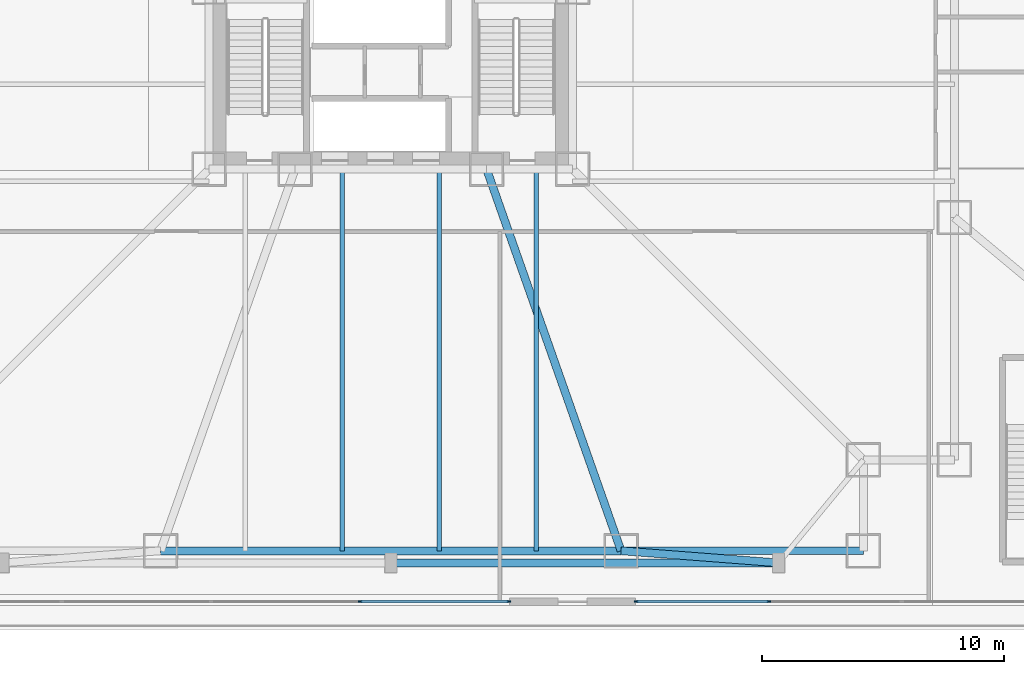
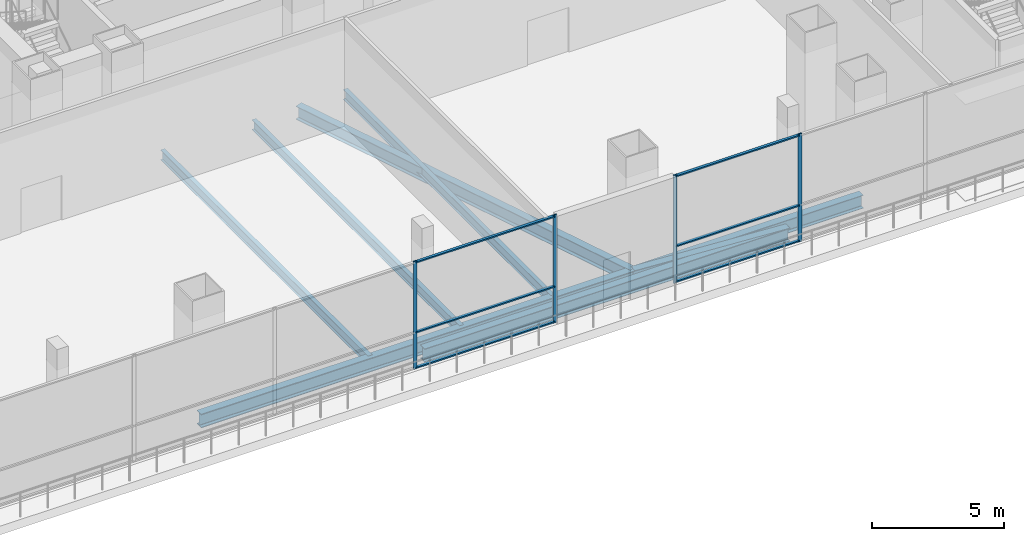
# One storey, part 9 of 36: 10 members, 8 beams, 2 elements without a shape of their own.
"""IFC4 building model written with IfcOpenShell, lengths in metres."""

from ifc_helpers import new_model, si_unit, direction, frame, origin, origin_2d, place, context, subcontext, project, spatial, rectangle, i_section, extrude, material, layer, layer_set, material_profile, profile_set, type_object, element, aggregate, save


model = new_model("IFC4")

# Units and contexts
model_context = context("Model", 3, precision=1e-05, world=origin(), true_north=direction((0.0, 1.0)))
body_context = subcontext(model_context, "Body", "Model", "MODEL_VIEW")
ifc_project = project(units=[si_unit("LENGTHUNIT", "METRE"), si_unit("AREAUNIT", "SQUARE_METRE"), si_unit("VOLUMEUNIT", "CUBIC_METRE"), si_unit("PLANEANGLEUNIT", "RADIAN"), si_unit("MASSUNIT", "GRAM", prefix="KILO")], contexts=[model_context])

# Site, building, storey
site_placement = place(None, origin())
site = spatial("IfcSite", under=ifc_project, at=site_placement, CompositionType="ELEMENT")
building_placement = place(site_placement, origin())
building = spatial("IfcBuilding", under=site, at=building_placement, Name="Trevonay Congress Spire", CompositionType="ELEMENT")
storey_placement = place(building_placement, frame((0.0, 0.0, 16.199951171875)))
storey = spatial("IfcBuildingStorey", under=building, at=storey_placement, Name="L03", CompositionType="ELEMENT", Elevation=16.199951171875)

# Beams
ifc_material_1 = material(Name="Steel ASTM A572 Grade 50", Category="steel")
ifc_material_profile_1 = material_profile(ifc_material_1, i_section(OverallWidth=0.324951171875, OverallDepth=0.615966796875, WebThickness=0.013916015625, FlangeThickness=0.021484375, FilletRadius=0.01806640625, at=origin_2d()), Name="W610x174")
ifc_profile_set_1 = profile_set([ifc_material_profile_1], Name="Steel ASTM A572 Grade 50")
beam_type_1 = type_object("IfcBeamType", Name="BM-GIRD-W610X174", PredefinedType="BEAM", material=ifc_profile_set_1)
beam_1_placement = place(storey_placement, frame((9.5, -23.25, -0.7080078125), z_axis=(1.0, 0.0, 0.0), x_axis=(0.0, 1.0, 0.0)))
element("IfcBeam", 1, at=beam_1_placement, inside=storey, type_object=beam_type_1, Name="L03 structural beam BM-L03-MS3", PredefinedType="BEAM", context=body_context, shape_type="SweptSolid", body=[
    extrude(i_section(OverallWidth=0.324951171875, OverallDepth=0.615966796875, WebThickness=0.013916015625, FlangeThickness=0.021484375, FilletRadius=0.01806640625, at=origin_2d()), origin(), (0.0, 0.0, 1.0), 10.0),
])
beam_2_placement = place(storey_placement, frame((3.949951171875, -7.5, -0.7080078125), z_axis=(0.332352826786, -0.943155129619, 0.0), x_axis=(0.943155129619, 0.332352826786, 0.0)))
element("IfcBeam", 2, at=beam_2_placement, inside=storey, type_object=beam_type_1, Name="L03 structural beam BM-L03-RAD-S2", PredefinedType="BEAM", context=body_context, shape_type="SweptSolid", body=[
    extrude(i_section(OverallWidth=0.324951171875, OverallDepth=0.615966796875, WebThickness=0.013916015625, FlangeThickness=0.021484375, FilletRadius=0.01806640625, at=origin_2d()), origin(), (0.0, 0.0, 1.0), 16.69921875),
])
beam_3_placement = place(storey_placement, frame((0.0, -23.75, -0.7080078125), z_axis=(1.0, 0.0, 0.0), x_axis=(0.0, 1.0, 0.0)))
element("IfcBeam", 3, at=beam_3_placement, inside=storey, type_object=beam_type_1, Name="L03 structural beam BM-L03-PIL-S2", PredefinedType="BEAM", context=body_context, shape_type="SweptSolid", body=[
    extrude(i_section(OverallWidth=0.324951171875, OverallDepth=0.615966796875, WebThickness=0.013916015625, FlangeThickness=0.021484375, FilletRadius=0.01806640625, at=origin_2d()), origin(), (0.0, 0.0, 1.0), 16.0),
])
beam_4_placement = place(storey_placement, frame((9.5, -23.25, -0.7080078125), z_axis=(0.997054485502, -0.076696498885, 0.0), x_axis=(0.076696498885, 0.997054485502, 0.0)))
element("IfcBeam", 4, at=beam_4_placement, inside=storey, type_object=beam_type_1, Name="L03 structural beam BM-L03-PIL-TS2", PredefinedType="BEAM", context=body_context, shape_type="SweptSolid", body=[
    extrude(i_section(OverallWidth=0.324951171875, OverallDepth=0.615966796875, WebThickness=0.013916015625, FlangeThickness=0.021484375, FilletRadius=0.01806640625, at=origin_2d()), origin(), (0.0, 0.0, 1.0), 6.519287109375),
])
ifc_material_profile_2 = material_profile(ifc_material_1, i_section(OverallWidth=0.3291015625, OverallDepth=0.635009765625, WebThickness=0.017822265625, FlangeThickness=0.031005859375, FilletRadius=0.01806640625, at=origin_2d()), Name="W610x241")
ifc_profile_set_2 = profile_set([ifc_material_profile_2], Name="Steel ASTM A572 Grade 50")
beam_type_2 = type_object("IfcBeamType", Name="BM-GIRD-W610X241", PredefinedType="BEAM", material=ifc_profile_set_2)
beam_5_placement = place(storey_placement, frame((-9.5, -23.25, -0.717529296875), z_axis=(1.0, 0.0, 0.0), x_axis=(0.0, 1.0, 0.0)))
element("IfcBeam", 5, at=beam_5_placement, inside=storey, type_object=beam_type_2, Name="L03 structural beam BM-L03-MS2", PredefinedType="BEAM", context=body_context, shape_type="SweptSolid", body=[
    extrude(i_section(OverallWidth=0.3291015625, OverallDepth=0.635009765625, WebThickness=0.017822265625, FlangeThickness=0.031005859375, FilletRadius=0.01806640625, at=origin_2d()), origin(), (0.0, 0.0, 1.0), 19.0),
])

# Curtain wall, members
ifc_material_2 = material(Name="Pale Anodised Aluminium EN AW-6063-T6", Category="aluminium")
ifc_layer = layer(ifc_material_2, 0.179931640625, Name="Pale Anodised Aluminium EN AW-6063-T6")
ifc_layer_set = layer_set([ifc_layer], Name="Pale Anodised Aluminium EN AW-6063-T6")
curtain_wall_type = type_object("IfcCurtainWallType", Name="CW-SYS01-PODIUM-PALE-METAL", PredefinedType="NOTDEFINED", material=ifc_layer_set)
curtain_wall_1_placement = place(storey_placement, origin())
curtain_wall_1 = element("IfcCurtainWall", 6, at=curtain_wall_1_placement, inside=storey, type_object=curtain_wall_type, Name="L03 S1 podium curtain wall", PredefinedType="NOTDEFINED")
ifc_material_profile_3 = material_profile(ifc_material_2, rectangle(XDim=0.06005859375, YDim=0.159912109375, at=origin_2d()), Name="CW-MULLION-160-ALUMINIUM")
ifc_profile_set_3 = profile_set([ifc_material_profile_3], Name="Pale Anodised Aluminium EN AW-6063-T6")
member_type_1 = type_object("IfcMemberType", Name="CW-MULLION-160-ALUMINIUM", PredefinedType="MULLION", material=ifc_profile_set_3)
member_1_placement = place(storey_placement, frame((-1.25830078125, -25.35009765625, 0.0), z_axis=(0.0, 0.0, 1.0), x_axis=(0.0, 1.0, 0.0)))
member_1 = element("IfcMember", 7, at=member_1_placement, type_object=member_type_1, Name="CW01 mullion 6", PredefinedType="MULLION", context=body_context, shape_type="SweptSolid", body=[
    extrude(rectangle(XDim=0.06005859375, YDim=0.159912109375, at=origin_2d()), origin(), (0.0, 0.0, 1.0), 5.0),
])
member_2_placement = place(storey_placement, frame((4.8701171875, -25.35009765625, 0.0), z_axis=(0.0, 0.0, 1.0), x_axis=(0.0, 1.0, 0.0)))
member_2 = element("IfcMember", 8, at=member_2_placement, type_object=member_type_1, Name="CW01 mullion 7", PredefinedType="MULLION", context=body_context, shape_type="SweptSolid", body=[
    extrude(rectangle(XDim=0.06005859375, YDim=0.159912109375, at=origin_2d()), origin(), (0.0, 0.0, 1.0), 5.0),
])

curtain_wall_2_placement = place(storey_placement, origin())
curtain_wall_2 = element("IfcCurtainWall", 9, at=curtain_wall_2_placement, inside=storey, type_object=curtain_wall_type, Name="L03 S2 podium curtain wall", PredefinedType="NOTDEFINED")
member_3_placement = place(storey_placement, frame((10.1298828125, -25.35009765625, 0.0), z_axis=(0.0, 0.0, 1.0), x_axis=(0.0, 1.0, 0.0)))
member_3 = element("IfcMember", 10, at=member_3_placement, type_object=member_type_1, Name="CW01 mullion 1", PredefinedType="MULLION", context=body_context, shape_type="SweptSolid", body=[
    extrude(rectangle(XDim=0.06005859375, YDim=0.159912109375, at=origin_2d()), origin(), (0.0, 0.0, 1.0), 5.0),
])
member_4_placement = place(storey_placement, frame((15.58740234375, -25.35009765625, 0.0), z_axis=(0.0, 0.0, 1.0), x_axis=(0.0, 1.0, 0.0)))
member_4 = element("IfcMember", 11, at=member_4_placement, type_object=member_type_1, Name="CW01 mullion 2", PredefinedType="MULLION", context=body_context, shape_type="SweptSolid", body=[
    extrude(rectangle(XDim=0.06005859375, YDim=0.159912109375, at=origin_2d()), origin(), (0.0, 0.0, 1.0), 5.0),
])

# Member
ifc_material_profile_4 = material_profile(ifc_material_2, rectangle(XDim=0.1201171875, YDim=0.06005859375, at=origin_2d()), Name="CW-TRANSOM-120-ALUMINIUM")
ifc_profile_set_4 = profile_set([ifc_material_profile_4], Name="Pale Anodised Aluminium EN AW-6063-T6")
member_type_2 = type_object("IfcMemberType", Name="CW-TRANSOM-120-ALUMINIUM", PredefinedType="USERDEFINED", material=ifc_profile_set_4)
member_5_placement = place(storey_placement, frame((-1.228271484375, -25.35009765625, 0.06005859375), z_axis=(1.0, 0.0, 0.0), x_axis=(0.0, 1.0, 0.0)))
member_5 = element("IfcMember", 12, at=member_5_placement, type_object=member_type_2, Name="CW01 transom 6.1", ObjectType="TRANSOM", PredefinedType="USERDEFINED", context=body_context, shape_type="SweptSolid", body=[
    extrude(rectangle(XDim=0.1201171875, YDim=0.06005859375, at=origin_2d()), origin(), (0.0, 0.0, 1.0), 6.068359375),
])

member_6_placement = place(storey_placement, frame((-1.228271484375, -25.35009765625, 1.699951171875), z_axis=(1.0, 0.0, 0.0), x_axis=(0.0, 1.0, 0.0)))
member_6 = element("IfcMember", 13, at=member_6_placement, type_object=member_type_2, Name="CW01 transom 6.2", ObjectType="TRANSOM", PredefinedType="USERDEFINED", context=body_context, shape_type="SweptSolid", body=[
    extrude(rectangle(XDim=0.1201171875, YDim=0.06005859375, at=origin_2d()), origin(), (0.0, 0.0, 1.0), 6.068359375),
])

member_7_placement = place(storey_placement, frame((-1.228271484375, -25.35009765625, 4.93994140625), z_axis=(1.0, 0.0, 0.0), x_axis=(0.0, 1.0, 0.0)))
member_7 = element("IfcMember", 14, at=member_7_placement, type_object=member_type_2, Name="CW01 transom 6.3", ObjectType="TRANSOM", PredefinedType="USERDEFINED", context=body_context, shape_type="SweptSolid", body=[
    extrude(rectangle(XDim=0.1201171875, YDim=0.06005859375, at=origin_2d()), origin(), (0.0, 0.0, 1.0), 6.068359375),
])

aggregate(curtain_wall_1, [member_1, member_2, member_5, member_6, member_7])

member_8_placement = place(storey_placement, frame((10.159912109375, -25.35009765625, 0.06005859375), z_axis=(1.0, 0.0, 0.0), x_axis=(0.0, 1.0, 0.0)))
member_8 = element("IfcMember", 15, at=member_8_placement, type_object=member_type_2, Name="CW01 transom 1.1", ObjectType="TRANSOM", PredefinedType="USERDEFINED", context=body_context, shape_type="SweptSolid", body=[
    extrude(rectangle(XDim=0.1201171875, YDim=0.06005859375, at=origin_2d()), origin(), (0.0, 0.0, 1.0), 5.397705078125),
])

member_9_placement = place(storey_placement, frame((10.159912109375, -25.35009765625, 1.699951171875), z_axis=(1.0, 0.0, 0.0), x_axis=(0.0, 1.0, 0.0)))
member_9 = element("IfcMember", 16, at=member_9_placement, type_object=member_type_2, Name="CW01 transom 1.2", ObjectType="TRANSOM", PredefinedType="USERDEFINED", context=body_context, shape_type="SweptSolid", body=[
    extrude(rectangle(XDim=0.1201171875, YDim=0.06005859375, at=origin_2d()), origin(), (0.0, 0.0, 1.0), 5.397705078125),
])

member_10_placement = place(storey_placement, frame((10.159912109375, -25.35009765625, 4.93994140625), z_axis=(1.0, 0.0, 0.0), x_axis=(0.0, 1.0, 0.0)))
member_10 = element("IfcMember", 17, at=member_10_placement, type_object=member_type_2, Name="CW01 transom 1.3", ObjectType="TRANSOM", PredefinedType="USERDEFINED", context=body_context, shape_type="SweptSolid", body=[
    extrude(rectangle(XDim=0.1201171875, YDim=0.06005859375, at=origin_2d()), origin(), (0.0, 0.0, 1.0), 5.397705078125),
])

aggregate(curtain_wall_2, [member_3, member_4, member_8, member_9, member_10])

# Beams
ifc_material_profile_5 = material_profile(ifc_material_1, i_section(OverallWidth=0.18994140625, OverallDepth=0.45703125, WebThickness=0.009033203125, FlangeThickness=0.014404296875, FilletRadius=0.013916015625, at=origin_2d()), Name="W460x74")
ifc_profile_set_5 = profile_set([ifc_material_profile_5], Name="Steel ASTM A572 Grade 50")
beam_type_3 = type_object("IfcBeamType", Name="JS-COMP-W460X74", PredefinedType="JOIST", material=ifc_profile_set_5)
for number, where, z_axis, x_axis, name in (
    (18, (-2.0, -23.25, -0.62841796875), (0.0, 1.0, 0.0), (-1.0, 0.0, 0.0), "L03 structural beam JS-L03-SH2"),
    (19, (2.0, -23.25, -0.62841796875), (0.0, 1.0, 0.0), (-1.0, 0.0, 0.0), "L03 structural beam JS-L03-SH3"),
    (20, (6.0, -23.25, -0.62841796875), (0.0, 1.0, 0.0), (-1.0, 0.0, 0.0), "L03 structural beam JS-L03-SH4"),
):
    element("IfcBeam", number, at=place(storey_placement, frame(where, z_axis=z_axis, x_axis=x_axis)), inside=storey, type_object=beam_type_3, Name=name, PredefinedType="JOIST", context=body_context, shape_type="SweptSolid", body=[
        extrude(i_section(OverallWidth=0.18994140625, OverallDepth=0.45703125, WebThickness=0.009033203125, FlangeThickness=0.014404296875, FilletRadius=0.013916015625, at=origin_2d()), origin(), (0.0, 0.0, 1.0), 15.75),
    ])

save(model, "model.ifc")
